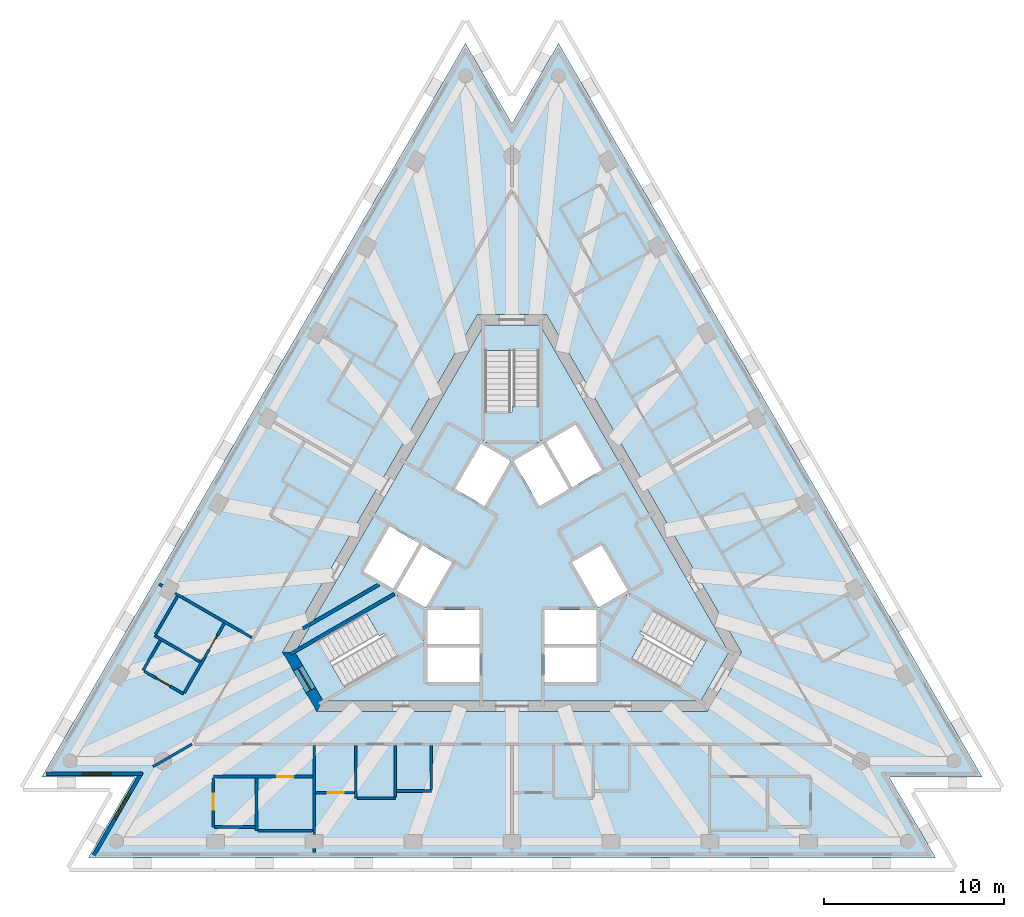
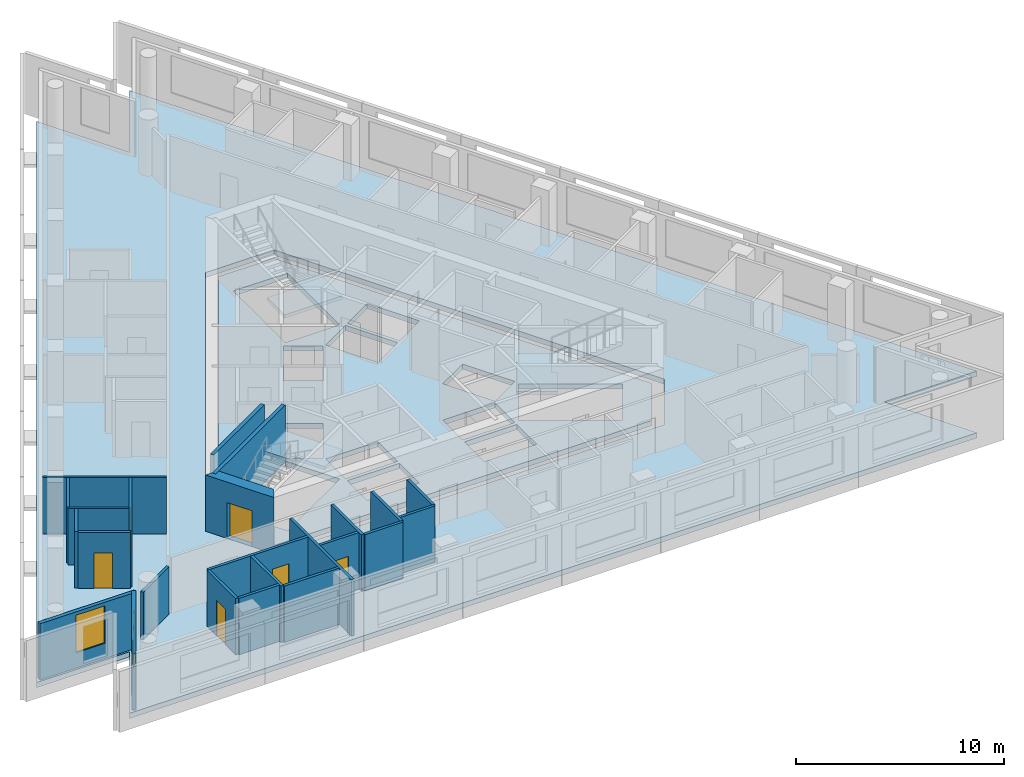
# One storey, part 2 of 9: 24 walls, 6 doors, 5 slabs, 2 windows, 8 openings, 3 elements without a shape of their own.
"""IFC4 building model written with IfcOpenShell, lengths in metres."""

from ifc_helpers import new_model, si_unit, direction, frame, frame_2d, origin, place, context, subcontext, project, spatial, polyline, rectangle, outline, extrude, material, layer, layer_set, layer_usage, type_object, element, fill, aggregate, save


model = new_model("IFC4")

# Units and contexts
model_context = context("Model", 3, precision=1e-05, world=origin(), true_north=direction((0.0, 1.0)))
body_context = subcontext(model_context, "Body", "Model", "MODEL_VIEW")
ifc_project = project(units=[si_unit("LENGTHUNIT", "METRE"), si_unit("AREAUNIT", "SQUARE_METRE"), si_unit("VOLUMEUNIT", "CUBIC_METRE"), si_unit("PLANEANGLEUNIT", "RADIAN"), si_unit("MASSUNIT", "GRAM", prefix="KILO")], contexts=[model_context])

# Site, building, storey
site_placement = place(None, origin())
site = spatial("IfcSite", under=ifc_project, at=site_placement, CompositionType="ELEMENT")
building_placement = place(site_placement, origin())
building = spatial("IfcBuilding", under=site, at=building_placement, Name="Triada Interchange Tower", CompositionType="ELEMENT")
storey_placement = place(building_placement, frame((0.0, 0.0, 286.300048828125)))
storey = spatial("IfcBuildingStorey", under=building, at=storey_placement, Name="L67", CompositionType="ELEMENT", Elevation=286.300048828125)

# Slabs
ifc_material_1 = material(Name="Concrete C50/60", Category="concrete")
ifc_layer_1 = layer(ifc_material_1, 0.300048828125)
ifc_layer_set_1 = layer_set([ifc_layer_1], Name="Floor slab 300")
slab_type_1 = type_object("IfcSlabType", Name="Floor slab 300", PredefinedType="FLOOR", material=ifc_layer_set_1)
slab_1_placement = place(storey_placement, frame((0.0, 0.0, -0.300048828125)))
element("IfcSlab", 1, at=slab_1_placement, inside=storey, type_object=slab_type_1, Name="Floor slab L67", PredefinedType="FLOOR", context=body_context, shape_type="SweptSolid", body=[
    extrude(outline(polyline([(-2.5810546875, 28.637939453125), (-26.092041015625, -12.083984375), (-20.930908203125, -12.083984375), (-23.510986328125, -16.553955078125), (23.510986328125, -16.553955078125), (20.930908203125, -12.083984375), (26.092041015625, -12.083984375), (2.5810546875, 28.637939453125), (0.0, 24.1689453125), (-2.5810546875, 28.637939453125)]), holes=[polyline([(1.905029296875, 13.60009765625), (-1.905029296875, 13.60009765625), (-12.73095703125, -5.14990234375), (-10.824951171875, -8.449951171875), (10.824951171875, -8.449951171875), (12.73095703125, -5.14990234375), (1.905029296875, 13.60009765625)])]), origin(), (0.0, 0.0, 1.0), 0.300048828125),
])
slab_2_placement = place(storey_placement, frame((0.0, 0.0, -0.300048828125)))
element("IfcSlab", 2, at=slab_2_placement, inside=storey, type_object=slab_type_1, Name="Core floor slab L67 1", PredefinedType="FLOOR", context=body_context, shape_type="SweptSolid", body=[
    extrude(outline(polyline([(12.0380859375, -5.14990234375), (10.47900390625, -7.85009765625), (-10.47900390625, -7.85009765625), (-12.0380859375, -5.14990234375), (-1.55908203125, 13.0), (1.55908203125, 13.0), (12.0380859375, -5.14990234375)]), holes=[polyline([(9.2958984375, -7.09912109375), (10.7958984375, -4.5009765625), (6.466064453125, -2.0009765625), (4.966064453125, -4.59912109375), (9.2958984375, -7.09912109375)]), polyline([(4.969970703125, 0.791015625), (3.324951171875, -0.158935546875), (4.77490234375, -2.669921875), (6.419921875, -1.719970703125), (4.969970703125, 0.791015625)]), polyline([(1.89404296875, 6.52001953125), (3.343994140625, 4.009033203125), (4.989013671875, 4.958984375), (3.5390625, 7.469970703125), (1.89404296875, 6.52001953125)]), polyline([(1.800048828125, -4.89990234375), (1.800048828125, -6.4990234375), (1.800048828125, -6.800048828125), (4.699951171875, -6.800048828125), (4.699951171875, -4.89990234375), (1.800048828125, -4.89990234375)]), polyline([(4.699951171875, -2.800048828125), (1.800048828125, -2.800048828125), (1.800048828125, -4.699951171875), (4.699951171875, -4.699951171875), (4.699951171875, -2.800048828125)]), polyline([(1.52490234375, 2.958984375), (2.594970703125, 3.576904296875), (3.169921875, 3.908935546875), (1.719970703125, 6.419921875), (0.074951171875, 5.469970703125), (1.52490234375, 2.958984375)]), polyline([(-1.5, 11.60009765625), (-1.5, 6.60009765625), (1.5, 6.60009765625), (1.5, 11.60009765625), (-1.5, 11.60009765625)]), polyline([(-1.52490234375, 2.958984375), (-0.074951171875, 5.469970703125), (-1.719970703125, 6.419921875), (-3.169921875, 3.908935546875), (-1.52490234375, 2.958984375)]), polyline([(-1.800048828125, -2.800048828125), (-4.699951171875, -2.800048828125), (-4.699951171875, -4.699951171875), (-1.800048828125, -4.699951171875), (-1.800048828125, -2.800048828125)]), polyline([(-4.699951171875, -6.800048828125), (-1.800048828125, -6.800048828125), (-1.800048828125, -6.4990234375), (-1.800048828125, -4.89990234375), (-4.699951171875, -4.89990234375), (-4.699951171875, -6.800048828125)]), polyline([(-3.427978515625, -0.09912109375), (-4.969970703125, 0.791015625), (-6.419921875, -1.719970703125), (-4.77490234375, -2.669921875), (-3.324951171875, -0.158935546875), (-3.427978515625, -0.09912109375)]), polyline([(-10.7958984375, -4.5009765625), (-9.2958984375, -7.09912109375), (-4.966064453125, -4.59912109375), (-6.466064453125, -2.0009765625), (-10.7958984375, -4.5009765625)]), polyline([(-6.593994140625, -1.6201171875), (-5.14404296875, 0.89111328125), (-6.7890625, 1.841064453125), (-8.239013671875, -0.669921875), (-6.593994140625, -1.6201171875)])]), origin(), (0.0, 0.0, 1.0), 0.300048828125),
])

# Stair, slab
ifc_material_2 = material(Name="Concrete C35/45", Category="concrete")
stair_type = type_object("IfcStairType", Name="HALF TURN STAIR 1400", PredefinedType="HALF_TURN_STAIR", material=ifc_material_2)
stair_1_placement = place(storey_placement, origin())
stair_1 = element("IfcStair", 3, at=stair_1_placement, inside=storey, type_object=stair_type, Name="Exit stair S65-1", PredefinedType="HALF_TURN_STAIR")
ifc_layer_2 = layer(ifc_material_2, 0.199951171875)
ifc_layer_set_2 = layer_set([ifc_layer_2], Name="STAIR LANDING 200")
slab_type_2 = type_object("IfcSlabType", Name="STAIR LANDING 200", PredefinedType="LANDING", material=ifc_layer_set_2)
slab_3_placement = place(storey_placement, frame((0.0, 0.0, 1.521728515625)))
slab_3 = element("IfcSlab", 4, at=slab_3_placement, type_object=slab_type_2, Name="S65-1 landing 1", PredefinedType="LANDING", context=body_context, shape_type="SweptSolid", body=[
    extrude(outline(polyline([(1.60009765625, 6.5), (1.60009765625, 8.5), (0.0, 8.5), (0.0, 8.18994140625), (-1.60009765625, 8.18994140625), (-1.60009765625, 6.5), (1.60009765625, 6.5)])), origin(), (0.0, 0.0, 1.0), 0.199951171875),
])
aggregate(stair_1, [slab_3])

stair_2_placement = place(storey_placement, origin())
stair_2 = element("IfcStair", 5, at=stair_2_placement, inside=storey, type_object=stair_type, Name="Exit stair S65-2", PredefinedType="HALF_TURN_STAIR")
slab_4_placement = place(storey_placement, frame((0.0, 0.0, 1.521728515625)))
slab_4 = element("IfcSlab", 6, at=slab_4_placement, type_object=slab_type_2, Name="S65-2 landing 1", PredefinedType="LANDING", context=body_context, shape_type="SweptSolid", body=[
    extrude(outline(polyline([(-6.428955078125, -1.864013671875), (-8.160888671875, -2.864013671875), (-7.361083984375, -4.25), (-7.093017578125, -4.094970703125), (-6.29296875, -5.48095703125), (-4.8291015625, -4.635986328125), (-6.428955078125, -1.864013671875)])), origin(), (0.0, 0.0, 1.0), 0.199951171875),
])
aggregate(stair_2, [slab_4])

stair_3_placement = place(storey_placement, origin())
stair_3 = element("IfcStair", 7, at=stair_3_placement, inside=storey, type_object=stair_type, Name="Exit stair S65-3", PredefinedType="HALF_TURN_STAIR")
slab_5_placement = place(storey_placement, frame((0.0, 0.0, 1.521728515625)))
slab_5 = element("IfcSlab", 8, at=slab_5_placement, type_object=slab_type_2, Name="S65-3 landing 1", PredefinedType="LANDING", context=body_context, shape_type="SweptSolid", body=[
    extrude(outline(polyline([(4.8291015625, -4.635986328125), (6.56103515625, -5.635986328125), (7.361083984375, -4.25), (7.093017578125, -4.094970703125), (7.89306640625, -2.708984375), (6.428955078125, -1.864013671875), (4.8291015625, -4.635986328125)])), origin(), (0.0, 0.0, 1.0), 0.199951171875),
])
aggregate(stair_3, [slab_5])

# Walls
ifc_material_3 = material(Name="Concrete C30/37", Category="concrete")
ifc_layer_3 = layer(ifc_material_3, 0.199951171875)
ifc_layer_set_3 = layer_set([ifc_layer_3], Name="CORE WALL 200 EI 90")
wall_type_1 = type_object("IfcWallType", Name="CORE WALL 200 EI 90", PredefinedType="SOLIDWALL", material=ifc_layer_set_3)
wall_1_placement = place(storey_placement, frame((-11.597900390625, -3.8291015625, 0.0), z_axis=(0.0, 0.0, 1.0), x_axis=(0.865968383994, 0.500098748171, 0.0)))
element("IfcWall", 9, at=wall_1_placement, inside=storey, type_object=wall_type_1, Name="Wall L65 110", PredefinedType="SOLIDWALL", context=body_context, shape_type="SweptSolid", body=[
    extrude(rectangle(XDim=4.8671875, YDim=0.199951171875, at=frame_2d((2.43359375, 0.0))), origin(), (0.0, 0.0, 1.0), 3.300048828125),
])
ifc_layer_4 = layer(ifc_material_3, 0.199951171875)
ifc_layer_set_4 = layer_set([ifc_layer_4], Name="CORE WALL 200 REI 240")
wall_type_2 = type_object("IfcWallType", Name="CORE WALL 200 REI 240", PredefinedType="SOLIDWALL", material=ifc_layer_set_4)
wall_2_placement = place(storey_placement, frame((-12.301025390625, -5.25390625, 0.0), z_axis=(0.0, 0.0, 1.0), x_axis=(0.866068467981, 0.499925403204, 0.0)))
element("IfcWall", 10, at=wall_2_placement, inside=storey, type_object=wall_type_2, Name="Wall L65 115", PredefinedType="SOLIDWALL", context=body_context, shape_type="SweptSolid", body=[
    extrude(rectangle(XDim=6.66455078125, YDim=0.199951171875, at=frame_2d((3.332275390625, 0.0))), origin(), (0.0, 0.0, 1.0), 3.300048828125),
])

# Wall, opening, door
ifc_material_4 = material(Name="Concrete C40/50", Category="concrete")
ifc_layer_5 = layer(ifc_material_4, 0.60009765625)
ifc_layer_set_5 = layer_set([ifc_layer_5], Name="Core wall D 600")
wall_type_3 = type_object("IfcWallType", Name="Core wall D 600", PredefinedType="SHEAR", material=ifc_layer_set_5)
wall_3_placement = place(storey_placement, frame((-12.384033203125, -5.14990234375, -0.300048828125), z_axis=(0.0, 0.0, 1.0), x_axis=(0.49997462182, -0.866040055388, 0.0)))
wall_3 = element("IfcWall", 11, at=wall_3_placement, inside=storey, type_object=wall_type_3, Name="Core wall WD03 L67", PredefinedType="SHEAR", context=body_context, shape_type="SweptSolid", body=[
    extrude(outline(polyline([(-0.173095703125, -0.301025390625), (1.73193359375, -0.300537109375), (3.636962890625, -0.300048828125), (3.291015625, 0.300048828125), (1.73193359375, 0.300048828125), (0.173095703125, 0.300048828125), (-0.173095703125, -0.301025390625)])), origin(), (0.0, 0.0, 1.0), 3.60009765625),
])
opening_1_placement = place(wall_3_placement, frame((1.031982421875, 0.0, 0.300048828125)))
opening_1 = element("IfcOpeningElement", 12, at=opening_1_placement, cuts=wall_3, Name="Opening D65-50", PredefinedType="OPENING", context=body_context, shape_type="SweptSolid", body=[
    extrude(rectangle(XDim=1.39990234375, YDim=2.10009765625, at=frame_2d((0.699951171875, 1.050048828125))), frame((0.0, 0.31005859375, 0.0), z_axis=(0.0, -1.0, 0.0), x_axis=(1.0, 0.0, 0.0)), (0.0, 0.0, 1.0), 0.62109375),
])
ifc_material_5 = material(Name="Steel S235 door leaf", Category="steel")
door_type_1 = type_object("IfcDoorType", Name="STAIR DOOR 1400 EI2 90-C5S200", OperationType="DOUBLE_DOOR_SINGLE_SWING", PredefinedType="DOOR", material=ifc_material_5)
door_1_placement = place(opening_1_placement, origin())
door_1 = element("IfcDoor", 13, at=door_1_placement, inside=storey, type_object=door_type_1, Name="Door D65-50 L67", OperationType="DOUBLE_DOOR_SINGLE_SWING", OverallHeight=2.10009765625, OverallWidth=1.39990234375, PredefinedType="DOOR", context=body_context, shape_type="SweptSolid", body=[
    extrude(rectangle(XDim=1.39990234375, YDim=2.10009765625, at=frame_2d((0.699951171875, 1.050048828125))), frame((0.0, 0.02490234375, 0.0), z_axis=(0.0, -1.0, 0.0), x_axis=(1.0, 0.0, 0.0)), (0.0, 0.0, 1.0), 0.050048828125),
])
fill(opening_1, door_1)

# Wall, opening, window
ifc_material_6 = material(Name="Cement board")
ifc_layer_6 = layer(ifc_material_6, 0.02001953125, Name="Cement board cladding")
ifc_material_7 = material(Name="Sheathing board")
ifc_layer_7 = layer(ifc_material_7, 0.014892578125, Name="Sheathing board")
ifc_material_8 = material(Name="Mineral wool")
ifc_layer_8 = layer(ifc_material_8, 0.14990234375, Name="Mineral wool between steel studs")
ifc_material_9 = material(Name="Gypsum board")
ifc_layer_9 = layer(ifc_material_9, 0.014892578125, Name="Plasterboard lining")
ifc_layer_set_6 = layer_set([ifc_layer_6, ifc_layer_7, ifc_layer_8, ifc_layer_9], Name="External wall 200")
ifc_layer_usage = layer_usage(ifc_layer_set_6, "AXIS2", "POSITIVE", -0.10009765625)
wall_type_4 = type_object("IfcWallType", Name="External wall 200", PredefinedType="ELEMENTEDWALL", material=ifc_layer_set_6)
wall_4_placement = place(storey_placement, frame((-25.8359375, -11.884033203125, 0.0), z_axis=(0.0, 0.0, 1.0), x_axis=(1.0, 0.0, 0.0)))
wall_4 = element("IfcWall", 14, at=wall_4_placement, inside=storey, type_object=wall_type_4, material=ifc_layer_usage, Name="External wall L67 SW-1", PredefinedType="ELEMENTEDWALL", context=body_context, shape_type="SweptSolid", body=[
    extrude(rectangle(XDim=5.321044921875, YDim=0.199951171875, at=frame_2d((2.66064453125, 0.0))), origin(), (0.0, 0.0, 1.0), 3.300048828125),
])
opening_2_placement = place(wall_4_placement, frame((1.989990234375, 0.0, 0.89990234375)))
opening_2 = element("IfcOpeningElement", 15, at=opening_2_placement, cuts=wall_4, Name="Opening WD09", PredefinedType="OPENING", context=body_context, shape_type="SweptSolid", body=[
    extrude(rectangle(XDim=1.60009765625, YDim=2.199951171875, at=frame_2d((0.800048828125, 1.10009765625))), frame((0.0, 0.10986328125, 0.0), z_axis=(0.0, -1.0, 0.0), x_axis=(1.0, 0.0, 0.0)), (0.0, 0.0, 1.0), 0.219970703125),
])
ifc_material_10 = material(Name="Double glazed aluminium window", Category="aluminium")
window_type = type_object("IfcWindowType", Name="Ribbon window D pocket", PartitioningType="SINGLE_PANEL", PredefinedType="WINDOW", material=ifc_material_10)
window_1_placement = place(opening_2_placement, origin())
window_1 = element("IfcWindow", 16, at=window_1_placement, inside=storey, type_object=window_type, Name="Window L67 SW-1 1", OverallHeight=2.199951171875, OverallWidth=1.60009765625, PartitioningType="SINGLE_PANEL", PredefinedType="WINDOW", context=body_context, shape_type="SweptSolid", body=[
    extrude(rectangle(XDim=1.60009765625, YDim=2.199951171875, at=frame_2d((0.800048828125, 1.10009765625))), frame((0.0, 0.030029296875, 0.0), z_axis=(0.0, -1.0, 0.0), x_axis=(1.0, 0.0, 0.0)), (0.0, 0.0, 1.0), 0.06005859375),
])
fill(opening_2, window_1)

wall_5_placement = place(storey_placement, frame((-20.5400390625, -11.805908203125, 0.0), z_axis=(0.0, 0.0, 1.0), x_axis=(-0.499834978903, -0.866120657798, 0.0)))
wall_5 = element("IfcWall", 17, at=wall_5_placement, inside=storey, type_object=wall_type_4, material=ifc_layer_usage, Name="External wall L67 SW-2", PredefinedType="ELEMENTEDWALL", context=body_context, shape_type="SweptSolid", body=[
    extrude(rectangle(XDim=5.321533203125, YDim=0.199951171875, at=frame_2d((2.66064453125, 0.0))), origin(), (0.0, 0.0, 1.0), 3.300048828125),
])
opening_3_placement = place(wall_5_placement, frame((1.389892578125, 0.0, 0.89990234375)))
opening_3 = element("IfcOpeningElement", 18, at=opening_3_placement, cuts=wall_5, Name="Opening WD10", PredefinedType="OPENING", context=body_context, shape_type="SweptSolid", body=[
    extrude(rectangle(XDim=1.60009765625, YDim=2.199951171875, at=frame_2d((0.800048828125, 1.10009765625))), frame((0.0, 0.10986328125, 0.0), z_axis=(0.0, -1.0, 0.0), x_axis=(1.0, 0.0, 0.0)), (0.0, 0.0, 1.0), 0.219970703125),
])
window_2_placement = place(opening_3_placement, origin())
window_2 = element("IfcWindow", 19, at=window_2_placement, inside=storey, type_object=window_type, Name="Window L67 SW-2 1", OverallHeight=2.199951171875, OverallWidth=1.60009765625, PartitioningType="SINGLE_PANEL", PredefinedType="WINDOW", context=body_context, shape_type="SweptSolid", body=[
    extrude(rectangle(XDim=1.60009765625, YDim=2.199951171875, at=frame_2d((0.800048828125, 1.10009765625))), frame((0.0, 0.030029296875, 0.0), z_axis=(0.0, -1.0, 0.0), x_axis=(1.0, 0.0, 0.0)), (0.0, 0.0, 1.0), 0.06005859375),
])
fill(opening_3, window_2)

# Walls
ifc_material_11 = material(Name="Gypsum board partition")
ifc_layer_10 = layer(ifc_material_11, 0.14990234375)
ifc_layer_set_7 = layer_set([ifc_layer_10], Name="PARTITION 150 EI 180")
wall_type_5 = type_object("IfcWallType", Name="PARTITION 150 EI 180", PredefinedType="PARTITIONING", material=ifc_layer_set_7)
wall_6_placement = place(storey_placement, frame((-19.908935546875, -11.493896484375, 0.0), z_axis=(0.0, 0.0, 1.0), x_axis=(0.86600757835, 0.500030873288, 0.0)))
element("IfcWall", 20, at=wall_6_placement, inside=storey, type_object=wall_type_5, Name="Wall L65 1", PredefinedType="PARTITIONING", context=body_context, shape_type="SweptSolid", body=[
    extrude(rectangle(XDim=2.489501953125, YDim=0.14990234375, at=frame_2d((1.24462890625, 0.0))), origin(), (0.0, 0.0, 1.0), 2.800048828125),
])
wall_7_placement = place(storey_placement, frame((-19.58203125, -1.367919921875, 0.0), z_axis=(0.0, 0.0, 1.0), x_axis=(0.865986712877, -0.50006700863, 0.0)))
element("IfcWall", 21, at=wall_7_placement, inside=storey, type_object=wall_type_5, Name="Wall L65 3", PredefinedType="PARTITIONING", context=body_context, shape_type="SweptSolid", body=[
    extrude(rectangle(XDim=5.949462890625, YDim=0.14990234375, at=frame_2d((2.974609375, 0.0))), origin(), (0.0, 0.0, 1.0), 3.300048828125),
])
wall_8_placement = place(storey_placement, frame((-10.97607421875, -16.27392578125, 0.0), z_axis=(0.0, 0.0, 1.0), x_axis=(0.0, 1.0, 0.0)))
element("IfcWall", 22, at=wall_8_placement, inside=storey, type_object=wall_type_5, Name="Wall L65 9", PredefinedType="PARTITIONING", context=body_context, shape_type="SweptSolid", body=[
    extrude(rectangle(XDim=5.948974609375, YDim=0.14990234375, at=frame_2d((2.974609375, 0.0))), origin(), (0.0, 0.0, 1.0), 3.300048828125),
])
wall_9_placement = place(storey_placement, frame((-8.676025390625, -13.25, 0.0), z_axis=(0.0, 0.0, 1.0), x_axis=(0.0, 1.0, 0.0)))
element("IfcWall", 23, at=wall_9_placement, inside=storey, type_object=wall_type_5, Name="Wall L65 10", PredefinedType="PARTITIONING", context=body_context, shape_type="SweptSolid", body=[
    extrude(rectangle(XDim=2.925048828125, YDim=0.14990234375, at=frame_2d((1.46240234375, 0.0))), origin(), (0.0, 0.0, 1.0), 3.300048828125),
])
wall_10_placement = place(storey_placement, frame((-8.60107421875, -13.25, 0.0), z_axis=(0.0, 0.0, 1.0), x_axis=(1.0, 0.0, 0.0)))
element("IfcWall", 24, at=wall_10_placement, inside=storey, type_object=wall_type_5, Name="Wall L65 11", PredefinedType="PARTITIONING", context=body_context, shape_type="SweptSolid", body=[
    extrude(rectangle(XDim=2.125, YDim=0.14990234375, at=frame_2d((1.0625, 0.0))), origin(), (0.0, 0.0, 1.0), 3.300048828125),
])
wall_11_placement = place(storey_placement, frame((-6.47607421875, -13.175048828125, 0.0), z_axis=(0.0, 0.0, 1.0), x_axis=(0.0, 1.0, 0.0)))
element("IfcWall", 25, at=wall_11_placement, inside=storey, type_object=wall_type_5, Name="Wall L65 13", PredefinedType="PARTITIONING", context=body_context, shape_type="SweptSolid", body=[
    extrude(rectangle(XDim=2.85009765625, YDim=0.14990234375, at=frame_2d((1.425048828125, 0.0))), origin(), (0.0, 0.0, 1.0), 3.300048828125),
])
wall_12_placement = place(storey_placement, frame((-6.40087890625, -12.85009765625, 0.0), z_axis=(0.0, 0.0, 1.0), x_axis=(1.0, 0.0, 0.0)))
element("IfcWall", 26, at=wall_12_placement, inside=storey, type_object=wall_type_5, Name="Wall L65 14", PredefinedType="PARTITIONING", context=body_context, shape_type="SweptSolid", body=[
    extrude(rectangle(XDim=1.9248046875, YDim=0.14990234375, at=frame_2d((0.96240234375, 0.0))), origin(), (0.0, 0.0, 1.0), 3.300048828125),
])
wall_13_placement = place(storey_placement, frame((-4.47607421875, -12.77490234375, 0.0), z_axis=(0.0, 0.0, 1.0), x_axis=(0.0, 1.0, 0.0)))
element("IfcWall", 27, at=wall_13_placement, inside=storey, type_object=wall_type_5, Name="Wall L65 16", PredefinedType="PARTITIONING", context=body_context, shape_type="SweptSolid", body=[
    extrude(rectangle(XDim=2.449951171875, YDim=0.14990234375, at=frame_2d((1.22509765625, 0.0))), origin(), (0.0, 0.0, 1.0), 3.300048828125),
])
ifc_layer_11 = layer(ifc_material_11, 0.14990234375)
ifc_layer_set_8 = layer_set([ifc_layer_11], Name="PARTITION 150 EI 90")
wall_type_6 = type_object("IfcWallType", Name="PARTITION 150 EI 90", PredefinedType="PARTITIONING", material=ifc_layer_set_8)
wall_14_placement = place(storey_placement, frame((-19.822021484375, -4.23193359375, 0.0), z_axis=(0.0, 0.0, 1.0), x_axis=(0.866145293007, -0.499792288257, 0.0)))
element("IfcWall", 28, at=wall_14_placement, inside=storey, type_object=wall_type_6, Name="Wall L65 31", PredefinedType="PARTITIONING", context=body_context, shape_type="SweptSolid", body=[
    extrude(rectangle(XDim=2.925537109375, YDim=0.14990234375, at=frame_2d((1.462890625, 0.0))), origin(), (0.0, 0.0, 1.0), 3.300048828125),
])
wall_15_placement = place(storey_placement, frame((-20.47509765625, -6.1640625, 0.0), z_axis=(0.0, 0.0, 1.0), x_axis=(0.499890818081, 0.866088430819, 0.0)))
element("IfcWall", 29, at=wall_15_placement, inside=storey, type_object=wall_type_6, Name="Wall L65 32", PredefinedType="PARTITIONING", context=body_context, shape_type="SweptSolid", body=[
    extrude(rectangle(XDim=1.9248046875, YDim=0.14990234375, at=frame_2d((0.96240234375, 0.0))), origin(), (0.0, 0.0, 1.0), 3.300048828125),
])

# Wall, opening, door
wall_16_placement = place(storey_placement, frame((-20.409912109375, -6.200927734375, 0.0), z_axis=(0.0, 0.0, 1.0), x_axis=(0.86593764446, -0.500151972811, 0.0)))
wall_16 = element("IfcWall", 30, at=wall_16_placement, inside=storey, type_object=wall_type_6, Name="Wall L65 33", PredefinedType="PARTITIONING", context=body_context, shape_type="SweptSolid", body=[
    extrude(rectangle(XDim=2.525634765625, YDim=0.14990234375, at=frame_2d((1.2626953125, 0.0))), origin(), (0.0, 0.0, 1.0), 3.300048828125),
])
opening_4_placement = place(wall_16_placement, frame((0.77490234375, 0.0, 0.0)))
opening_4 = element("IfcOpeningElement", 31, at=opening_4_placement, cuts=wall_16, Name="Opening D65-47", PredefinedType="OPENING", context=body_context, shape_type="SweptSolid", body=[
    extrude(rectangle(XDim=0.89990234375, YDim=2.10009765625, at=frame_2d((0.449951171875, 1.050048828125))), frame((0.0, 0.0849609375, 0.0), z_axis=(0.0, -1.0, 0.0), x_axis=(1.0, 0.0, 0.0)), (0.0, 0.0, 1.0), 0.169921875),
])
door_type_2 = type_object("IfcDoorType", Name="SERVICE DOOR 900 EI2 45-C5S200", OperationType="NOTDEFINED", PredefinedType="DOOR", material=ifc_material_5)
door_2_placement = place(opening_4_placement, origin())
door_2 = element("IfcDoor", 32, at=door_2_placement, inside=storey, type_object=door_type_2, Name="Door D65-47 L67", OperationType="SINGLE_SWING_LEFT", OverallHeight=2.10009765625, OverallWidth=0.89990234375, PredefinedType="DOOR", context=body_context, shape_type="SweptSolid", body=[
    extrude(rectangle(XDim=0.89990234375, YDim=2.10009765625, at=frame_2d((0.449951171875, 1.050048828125))), frame((0.0, 0.02490234375, 0.0), z_axis=(0.0, -1.0, 0.0), x_axis=(1.0, 0.0, 0.0)), (0.0, 0.0, 1.0), 0.050048828125),
])
fill(opening_4, door_2)

wall_17_placement = place(storey_placement, frame((-18.18603515625, -7.39892578125, 0.0), z_axis=(0.0, 0.0, 1.0), x_axis=(0.49999788721, 0.866026623601, 0.0)))
wall_17 = element("IfcWall", 33, at=wall_17_placement, inside=storey, type_object=wall_type_6, Name="Wall L65 34", PredefinedType="PARTITIONING", context=body_context, shape_type="SweptSolid", body=[
    extrude(rectangle(XDim=4.4501953125, YDim=0.14990234375, at=frame_2d((2.22509765625, 0.0))), origin(), (0.0, 0.0, 1.0), 3.300048828125),
])
opening_5_placement = place(wall_17_placement, frame((2.77490234375, 0.0, 0.0)))
opening_5 = element("IfcOpeningElement", 34, at=opening_5_placement, cuts=wall_17, Name="Opening D65-46", PredefinedType="OPENING", context=body_context, shape_type="SweptSolid", body=[
    extrude(rectangle(XDim=0.89990234375, YDim=2.10009765625, at=frame_2d((0.449951171875, 1.050048828125))), frame((0.0, 0.0849609375, 0.0), z_axis=(0.0, -1.0, 0.0), x_axis=(1.0, 0.0, 0.0)), (0.0, 0.0, 1.0), 0.169921875),
])
door_type_3 = type_object("IfcDoorType", Name="ROOM DOOR 900 EI2 45-C5S200", OperationType="NOTDEFINED", PredefinedType="DOOR", material=ifc_material_5)
door_3_placement = place(opening_5_placement, origin())
door_3 = element("IfcDoor", 35, at=door_3_placement, inside=storey, type_object=door_type_3, Name="Door D65-46 L67", OperationType="SINGLE_SWING_RIGHT", OverallHeight=2.10009765625, OverallWidth=0.89990234375, PredefinedType="DOOR", context=body_context, shape_type="SweptSolid", body=[
    extrude(rectangle(XDim=0.89990234375, YDim=2.10009765625, at=frame_2d((0.449951171875, 1.050048828125))), frame((0.0, 0.02490234375, 0.0), z_axis=(0.0, -1.0, 0.0), x_axis=(1.0, 0.0, 0.0)), (0.0, 0.0, 1.0), 0.050048828125),
])
fill(opening_5, door_3)

# Walls
wall_18_placement = place(storey_placement, frame((-19.783935546875, -4.1669921875, 0.0), z_axis=(0.0, 0.0, 1.0), x_axis=(0.499900713578, 0.866082719239, 0.0)))
element("IfcWall", 36, at=wall_18_placement, inside=storey, type_object=wall_type_6, Name="Wall L65 36", PredefinedType="PARTITIONING", context=body_context, shape_type="SweptSolid", body=[
    extrude(rectangle(XDim=2.4501953125, YDim=0.14990234375, at=frame_2d((1.22509765625, 0.0))), origin(), (0.0, 0.0, 1.0), 3.300048828125),
])
wall_19_placement = place(storey_placement, frame((-14.176025390625, -15.050048828125, 0.0), z_axis=(0.0, 0.0, 1.0), x_axis=(0.0, 1.0, 0.0)))
element("IfcWall", 37, at=wall_19_placement, inside=storey, type_object=wall_type_6, Name="Wall L65 38", PredefinedType="PARTITIONING", context=body_context, shape_type="SweptSolid", body=[
    extrude(rectangle(XDim=2.925048828125, YDim=0.14990234375, at=frame_2d((1.46240234375, 0.0))), origin(), (0.0, 0.0, 1.0), 3.300048828125),
])

# Wall, opening, door
wall_20_placement = place(storey_placement, frame((-16.575927734375, -12.050048828125, 0.0), z_axis=(0.0, 0.0, 1.0), x_axis=(1.0, 0.0, 0.0)))
wall_20 = element("IfcWall", 38, at=wall_20_placement, inside=storey, type_object=wall_type_6, Name="Wall L65 39", PredefinedType="PARTITIONING", context=body_context, shape_type="SweptSolid", body=[
    extrude(rectangle(XDim=5.52490234375, YDim=0.14990234375, at=frame_2d((2.762451171875, 0.0))), origin(), (0.0, 0.0, 1.0), 3.300048828125),
])
opening_6_placement = place(wall_20_placement, frame((3.550048828125, 0.0, 0.0)))
opening_6 = element("IfcOpeningElement", 39, at=opening_6_placement, cuts=wall_20, Name="Opening D65-12", PredefinedType="OPENING", context=body_context, shape_type="SweptSolid", body=[
    extrude(rectangle(XDim=0.89990234375, YDim=2.10009765625, at=frame_2d((0.449951171875, 1.050048828125))), frame((0.0, 0.0849609375, 0.0), z_axis=(0.0, -1.0, 0.0), x_axis=(1.0, 0.0, 0.0)), (0.0, 0.0, 1.0), 0.169921875),
])
door_4_placement = place(opening_6_placement, origin())
door_4 = element("IfcDoor", 40, at=door_4_placement, inside=storey, type_object=door_type_3, Name="Door D65-12 L67", OperationType="SINGLE_SWING_LEFT", OverallHeight=2.10009765625, OverallWidth=0.89990234375, PredefinedType="DOOR", context=body_context, shape_type="SweptSolid", body=[
    extrude(rectangle(XDim=0.89990234375, YDim=2.10009765625, at=frame_2d((0.449951171875, 1.050048828125))), frame((0.0, 0.02490234375, 0.0), z_axis=(0.0, -1.0, 0.0), x_axis=(1.0, 0.0, 0.0)), (0.0, 0.0, 1.0), 0.050048828125),
])
fill(opening_6, door_4)

wall_21_placement = place(storey_placement, frame((-16.575927734375, -14.85009765625, 0.0), z_axis=(0.0, 0.0, 1.0), x_axis=(0.0, 1.0, 0.0)))
wall_21 = element("IfcWall", 41, at=wall_21_placement, inside=storey, type_object=wall_type_6, Name="Wall L65 41", PredefinedType="PARTITIONING", context=body_context, shape_type="SweptSolid", body=[
    extrude(rectangle(XDim=2.72509765625, YDim=0.14990234375, at=frame_2d((1.362548828125, 0.0))), origin(), (0.0, 0.0, 1.0), 3.300048828125),
])
opening_7_placement = place(wall_21_placement, frame((0.949951171875, 0.0, 0.0)))
opening_7 = element("IfcOpeningElement", 42, at=opening_7_placement, cuts=wall_21, Name="Opening D65-13", PredefinedType="OPENING", context=body_context, shape_type="SweptSolid", body=[
    extrude(rectangle(XDim=0.89990234375, YDim=2.10009765625, at=frame_2d((0.449951171875, 1.050048828125))), frame((0.0, 0.0849609375, 0.0), z_axis=(0.0, -1.0, 0.0), x_axis=(1.0, 0.0, 0.0)), (0.0, 0.0, 1.0), 0.169921875),
])
door_5_placement = place(opening_7_placement, origin())
door_5 = element("IfcDoor", 43, at=door_5_placement, inside=storey, type_object=door_type_2, Name="Door D65-13 L67", OperationType="SINGLE_SWING_RIGHT", OverallHeight=2.10009765625, OverallWidth=0.89990234375, PredefinedType="DOOR", context=body_context, shape_type="SweptSolid", body=[
    extrude(rectangle(XDim=0.89990234375, YDim=2.10009765625, at=frame_2d((0.449951171875, 1.050048828125))), frame((0.0, 0.02490234375, 0.0), z_axis=(0.0, -1.0, 0.0), x_axis=(1.0, 0.0, 0.0)), (0.0, 0.0, 1.0), 0.050048828125),
])
fill(opening_7, door_5)

# Walls
wall_22_placement = place(storey_placement, frame((-16.5009765625, -14.85009765625, 0.0), z_axis=(0.0, 0.0, 1.0), x_axis=(1.0, 0.0, 0.0)))
element("IfcWall", 44, at=wall_22_placement, inside=storey, type_object=wall_type_6, Name="Wall L65 42", PredefinedType="PARTITIONING", context=body_context, shape_type="SweptSolid", body=[
    extrude(rectangle(XDim=2.25, YDim=0.14990234375, at=frame_2d((1.125, 0.0))), origin(), (0.0, 0.0, 1.0), 3.300048828125),
])
wall_23_placement = place(storey_placement, frame((-14.10107421875, -15.050048828125, 0.0), z_axis=(0.0, 0.0, 1.0), x_axis=(1.0, 0.0, 0.0)))
element("IfcWall", 45, at=wall_23_placement, inside=storey, type_object=wall_type_6, Name="Wall L65 44", PredefinedType="PARTITIONING", context=body_context, shape_type="SweptSolid", body=[
    extrude(rectangle(XDim=3.050048828125, YDim=0.14990234375, at=frame_2d((1.52490234375, 0.0))), origin(), (0.0, 0.0, 1.0), 3.300048828125),
])

# Wall, opening, door
wall_24_placement = place(storey_placement, frame((-10.90087890625, -12.949951171875, 0.0), z_axis=(0.0, 0.0, 1.0), x_axis=(1.0, 0.0, 0.0)))
wall_24 = element("IfcWall", 46, at=wall_24_placement, inside=storey, type_object=wall_type_6, Name="Wall L65 51", PredefinedType="PARTITIONING", context=body_context, shape_type="SweptSolid", body=[
    extrude(rectangle(XDim=2.14990234375, YDim=0.14990234375, at=frame_2d((1.074951171875, 0.0))), origin(), (0.0, 0.0, 1.0), 3.300048828125),
])
opening_8_placement = place(wall_24_placement, frame((0.675048828125, 0.0, 0.0)))
opening_8 = element("IfcOpeningElement", 47, at=opening_8_placement, cuts=wall_24, Name="Opening D65-15", PredefinedType="OPENING", context=body_context, shape_type="SweptSolid", body=[
    extrude(rectangle(XDim=0.89990234375, YDim=2.10009765625, at=frame_2d((0.449951171875, 1.050048828125))), frame((0.0, 0.0849609375, 0.0), z_axis=(0.0, -1.0, 0.0), x_axis=(1.0, 0.0, 0.0)), (0.0, 0.0, 1.0), 0.169921875),
])
door_6_placement = place(opening_8_placement, origin())
door_6 = element("IfcDoor", 48, at=door_6_placement, inside=storey, type_object=door_type_3, Name="Door D65-15 L67", OperationType="SINGLE_SWING_LEFT", OverallHeight=2.10009765625, OverallWidth=0.89990234375, PredefinedType="DOOR", context=body_context, shape_type="SweptSolid", body=[
    extrude(rectangle(XDim=0.89990234375, YDim=2.10009765625, at=frame_2d((0.449951171875, 1.050048828125))), frame((0.0, 0.02490234375, 0.0), z_axis=(0.0, -1.0, 0.0), x_axis=(1.0, 0.0, 0.0)), (0.0, 0.0, 1.0), 0.050048828125),
])
fill(opening_8, door_6)

save(model, "model.ifc")
